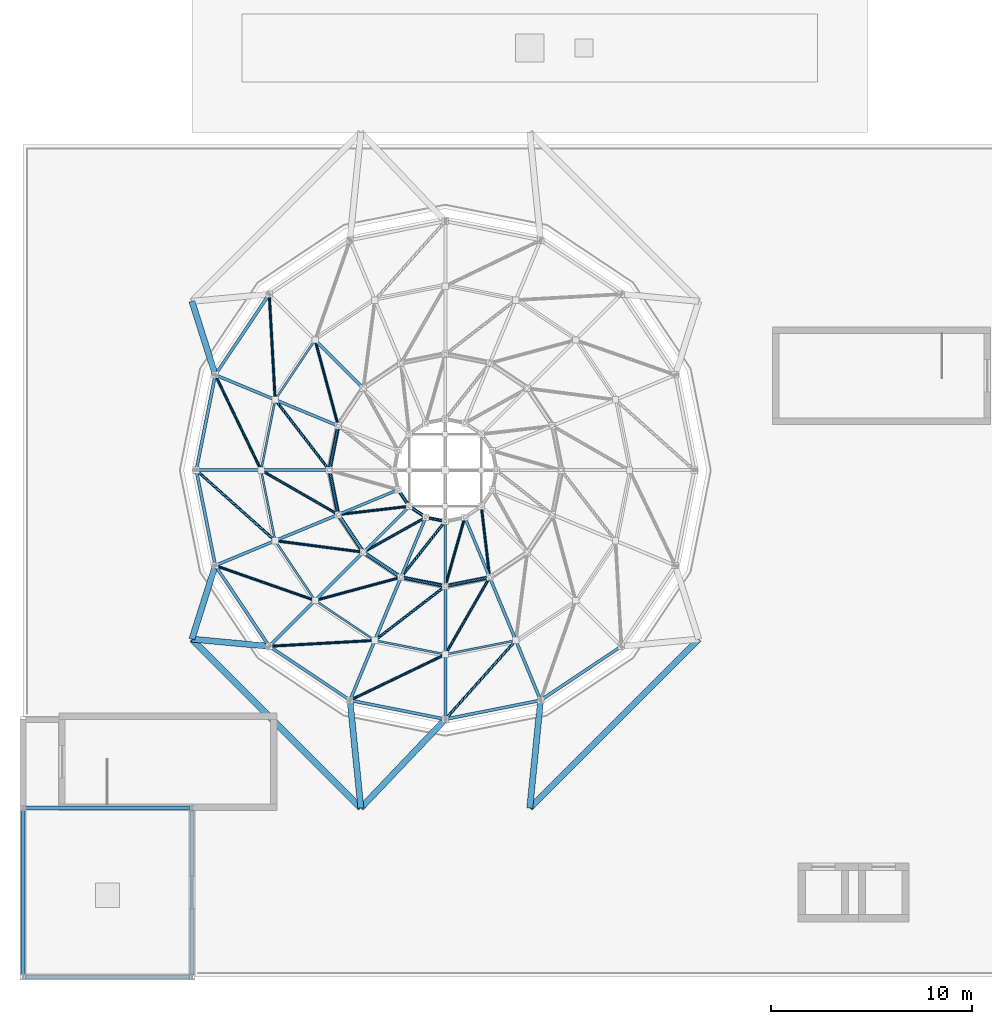
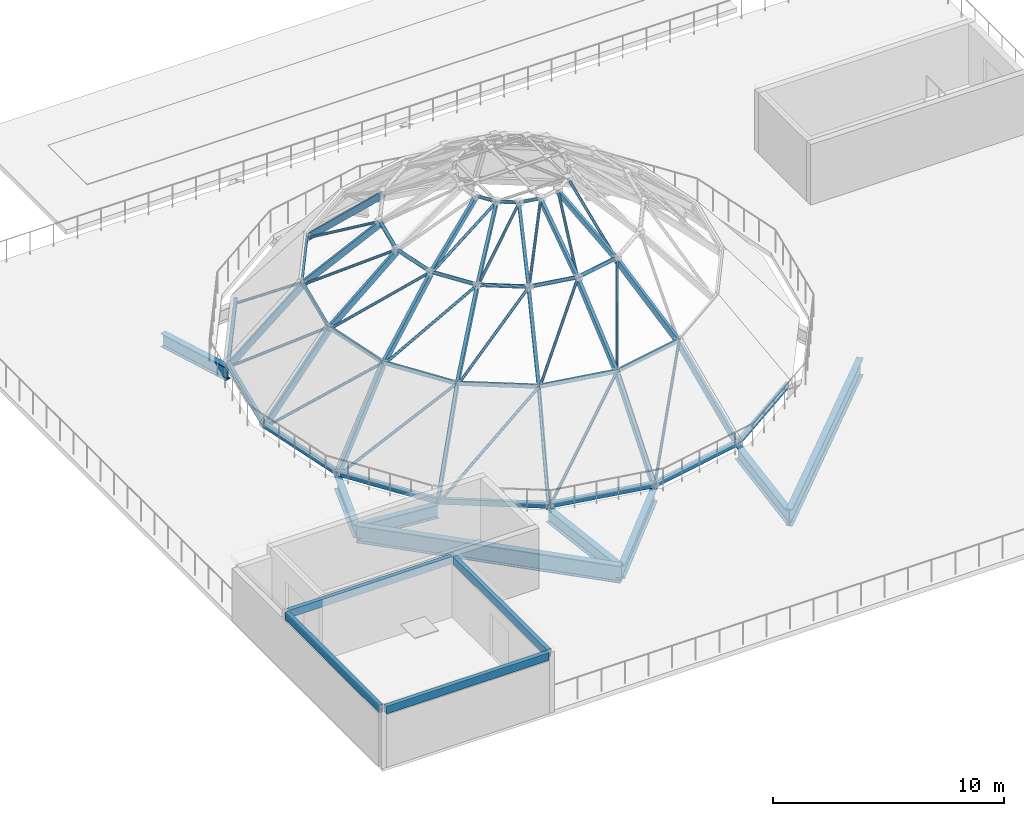
# One storey, part 5 of 40: 63 members, 12 beams.
"""IFC4 building model written with IfcOpenShell, lengths in metres."""

from ifc_helpers import new_model, si_unit, direction, frame, origin, origin_2d, place, context, subcontext, project, spatial, hollow_rectangle, hollow_circle, i_section, extrude, material, material_profile, profile_set, type_object, element, save


model = new_model("IFC4")

# Units and contexts
model_context = context("Model", 3, precision=1e-05, world=origin(), true_north=direction((0.0, 1.0)))
body_context = subcontext(model_context, "Body", "Model", "MODEL_VIEW")
ifc_project = project(units=[si_unit("LENGTHUNIT", "METRE"), si_unit("AREAUNIT", "SQUARE_METRE"), si_unit("VOLUMEUNIT", "CUBIC_METRE"), si_unit("PLANEANGLEUNIT", "RADIAN"), si_unit("MASSUNIT", "GRAM", prefix="KILO"), si_unit("THERMODYNAMICTEMPERATUREUNIT", "KELVIN")], contexts=[model_context])

# Site, building, storey
site_placement = place(None, origin())
site = spatial("IfcSite", under=ifc_project, at=site_placement, CompositionType="ELEMENT")
building_placement = place(site_placement, origin())
building = spatial("IfcBuilding", under=site, at=building_placement, Name="Lustrewick Department Store", CompositionType="ELEMENT")
storey_placement = place(building_placement, frame((0.0, 0.0, 31.800048828125)))
storey = spatial("IfcBuildingStorey", under=building, at=storey_placement, Name="L07", CompositionType="ELEMENT", Elevation=31.800048828125)

# Members
ifc_material_1 = material(Name="Structural steel Q355C", Category="steel")
ifc_material_profile_1 = material_profile(ifc_material_1, hollow_rectangle(XDim=0.14990234375, YDim=0.300048828125, WallThickness=0.010009765625, at=origin_2d()), Name="RHS 300x150x10")
ifc_profile_set_1 = profile_set([ifc_material_profile_1], Name="Structural steel Q355C")
member_type_1 = type_object("IfcMemberType", Name="DR01", PredefinedType="USERDEFINED", material=ifc_profile_set_1)
member_1_placement = place(storey_placement, frame((20.644287109375, 75.955810546875, -0.170654296875), z_axis=(-0.55556285078, -0.83147454491, 0.0), x_axis=(0.83147454491, -0.55556285078, 0.0)))
element("IfcMember", 1, at=member_1_placement, inside=storey, type_object=member_type_1, Name="L07 Dome Drum Tension Ring Beam 07", ObjectType="ARCH_SEGMENT", PredefinedType="USERDEFINED", context=body_context, shape_type="SweptSolid", body=[
    extrude(hollow_rectangle(XDim=0.14990234375, YDim=0.300048828125, WallThickness=0.010009765625, at=origin_2d()), origin(), (0.0, 0.0, 1.0), 4.831298828125),
])
member_2_placement = place(storey_placement, frame((17.960205078125, 71.938720703125, -0.170654296875), z_axis=(-0.195095714882, -0.98078420768, 0.0), x_axis=(0.98078420768, -0.195095714882, 0.0)))
element("IfcMember", 2, at=member_2_placement, inside=storey, type_object=member_type_1, Name="L07 Dome Drum Tension Ring Beam 08", ObjectType="ARCH_SEGMENT", PredefinedType="USERDEFINED", context=body_context, shape_type="SweptSolid", body=[
    extrude(hollow_rectangle(XDim=0.14990234375, YDim=0.300048828125, WallThickness=0.010009765625, at=origin_2d()), origin(), (0.0, 0.0, 1.0), 4.83154296875),
])
for number, where, z_axis, x_axis, name in (
    (3, (17.017578125, 67.199951171875, -0.170654296875), (0.195105384075, -0.980782284253, 0.0), (0.980782284253, 0.195105384075, 0.0), "L07 Dome Drum Tension Ring Beam 09"),
    (4, (17.960205078125, 62.46142578125, -0.170654296875), (0.55556285078, -0.83147454491, 0.0), (0.83147454491, 0.55556285078, 0.0), "L07 Dome Drum Tension Ring Beam 10"),
    (5, (20.644287109375, 58.4443359375, -0.170654296875), (0.831451201673, -0.555597785486, 0.0), (0.555597785486, 0.831451201673, 0.0), "L07 Dome Drum Tension Ring Beam 11"),
    (6, (24.661376953125, 55.760009765625, -0.170654296875), (0.980782284253, -0.195105384075, 0.0), (0.195105384075, 0.980782284253, 0.0), "L07 Dome Drum Tension Ring Beam 12"),
):
    element("IfcMember", number, at=place(storey_placement, frame(where, z_axis=z_axis, x_axis=x_axis)), inside=storey, type_object=member_type_1, Name=name, ObjectType="ARCH_SEGMENT", PredefinedType="USERDEFINED", context=body_context, shape_type="SweptSolid", body=[
        extrude(hollow_rectangle(XDim=0.14990234375, YDim=0.300048828125, WallThickness=0.010009765625, at=origin_2d()), origin(), (0.0, 0.0, 1.0), 4.831298828125),
    ])
member_3_placement = place(storey_placement, frame((29.39990234375, 54.8173828125, -0.170654296875), z_axis=(0.98078420768, 0.195095714882, 0.0), x_axis=(-0.195095714882, 0.98078420768, 0.0)))
element("IfcMember", 7, at=member_3_placement, inside=storey, type_object=member_type_1, Name="L07 Dome Drum Tension Ring Beam 13", ObjectType="ARCH_SEGMENT", PredefinedType="USERDEFINED", context=body_context, shape_type="SweptSolid", body=[
    extrude(hollow_rectangle(XDim=0.14990234375, YDim=0.300048828125, WallThickness=0.010009765625, at=origin_2d()), origin(), (0.0, 0.0, 1.0), 4.83154296875),
])
member_4_placement = place(storey_placement, frame((34.138671875, 55.760009765625, -0.170654296875), z_axis=(0.831451201673, 0.555597785486, 0.0), x_axis=(-0.555597785486, 0.831451201673, 0.0)))
element("IfcMember", 8, at=member_4_placement, inside=storey, type_object=member_type_1, Name="L07 Dome Drum Tension Ring Beam 14", ObjectType="ARCH_SEGMENT", PredefinedType="USERDEFINED", context=body_context, shape_type="SweptSolid", body=[
    extrude(hollow_rectangle(XDim=0.14990234375, YDim=0.300048828125, WallThickness=0.010009765625, at=origin_2d()), origin(), (0.0, 0.0, 1.0), 4.831298828125),
])
for number, where, z_axis, x_axis, name in (
    (9, (17.960205078125, 71.938720703125, -0.32666015625), (0.579377901493, -0.240017807162, 0.778917646165), (0.382726472086, 0.9238617037, 0.0), "V1 Dome Arch Segment 1.08"),
    (10, (17.017578125, 67.199951171875, -0.32666015625), (0.627125427781, 0.0, 0.778918287005), (0.0, 1.0, 0.0), "V1 Dome Arch Segment 1.09"),
    (11, (17.960205078125, 62.46142578125, -0.32666015625), (0.579384507666, 0.239973033885, 0.778926527527), (-0.38266180877, 0.923888489001, 0.0), "V1 Dome Arch Segment 1.10"),
    (12, (20.644287109375, 58.4443359375, -0.32666015625), (0.443459475704, 0.443411965583, 0.778928444844), (-0.707068900128, 0.707144660216, 0.0), "V1 Dome Arch Segment 1.11"),
    (13, (24.661376953125, 55.760009765625, -0.32666015625), (0.240017807162, 0.579377901493, 0.778917646165), (-0.9238617037, 0.382726472086, 0.0), "V1 Dome Arch Segment 1.12"),
):
    element("IfcMember", number, at=place(storey_placement, frame(where, z_axis=z_axis, x_axis=x_axis)), inside=storey, type_object=member_type_1, Name=name, ObjectType="ARCH_SEGMENT", PredefinedType="USERDEFINED", context=body_context, shape_type="SweptSolid", body=[
        extrude(hollow_rectangle(XDim=0.14990234375, YDim=0.300048828125, WallThickness=0.010009765625, at=origin_2d()), origin(), (0.0, 0.0, 1.0), 5.138671875),
    ])
member_5_placement = place(storey_placement, frame((29.39990234375, 54.8173828125, -0.32666015625), z_axis=(0.0, 0.627154251158, 0.778895079747), x_axis=(-1.0, 0.0, 0.0)))
element("IfcMember", 14, at=member_5_placement, inside=storey, type_object=member_type_1, Name="V1 Dome Arch Segment 1.13", ObjectType="ARCH_SEGMENT", PredefinedType="USERDEFINED", context=body_context, shape_type="SweptSolid", body=[
    extrude(hollow_rectangle(XDim=0.14990234375, YDim=0.300048828125, WallThickness=0.010009765625, at=origin_2d()), origin(), (0.0, 0.0, 1.0), 5.138916015625),
])
member_6_placement = place(storey_placement, frame((34.138671875, 55.760009765625, -0.32666015625), z_axis=(-0.240017807162, 0.579377901493, 0.778917646165), x_axis=(-0.9238617037, -0.382726472086, 0.0)))
element("IfcMember", 15, at=member_6_placement, inside=storey, type_object=member_type_1, Name="V1 Dome Arch Segment 1.14", ObjectType="ARCH_SEGMENT", PredefinedType="USERDEFINED", context=body_context, shape_type="SweptSolid", body=[
    extrude(hollow_rectangle(XDim=0.14990234375, YDim=0.300048828125, WallThickness=0.010009765625, at=origin_2d()), origin(), (0.0, 0.0, 1.0), 5.138671875),
])
for number, where, z_axis, x_axis, name in (
    (16, (22.9375, 73.66259765625, 3.746337890625), (0.537868383563, -0.537868383563, 0.649149600575), (0.707106781187, 0.707106781187, 0.0), "V1 Dome Arch Segment 2.07"),
    (17, (20.956298828125, 70.697509765625, 3.746337890625), (0.702740888981, -0.291108006613, 0.649162053296), (0.382709465293, 0.92386874889, 0.0), "V1 Dome Arch Segment 2.08"),
):
    element("IfcMember", number, at=place(storey_placement, frame(where, z_axis=z_axis, x_axis=x_axis)), inside=storey, type_object=member_type_1, Name=name, ObjectType="ARCH_SEGMENT", PredefinedType="USERDEFINED", context=body_context, shape_type="SweptSolid", body=[
        extrude(hollow_rectangle(XDim=0.14990234375, YDim=0.300048828125, WallThickness=0.010009765625, at=origin_2d()), origin(), (0.0, 0.0, 1.0), 4.438232421875),
    ])
member_7_placement = place(storey_placement, frame((20.260498046875, 67.199951171875, 3.746337890625), z_axis=(0.760679764588, 0.0, 0.649127334001), x_axis=(0.0, 1.0, 0.0)))
element("IfcMember", 18, at=member_7_placement, inside=storey, type_object=member_type_1, Name="V1 Dome Arch Segment 2.09", ObjectType="ARCH_SEGMENT", PredefinedType="USERDEFINED", context=body_context, shape_type="SweptSolid", body=[
    extrude(hollow_rectangle(XDim=0.14990234375, YDim=0.300048828125, WallThickness=0.010009765625, at=origin_2d()), origin(), (0.0, 0.0, 1.0), 4.4384765625),
])
member_8_placement = place(storey_placement, frame((20.956298828125, 63.702392578125, 3.746337890625), z_axis=(0.702740888981, 0.291108006613, 0.649162053296), x_axis=(-0.382709465293, 0.92386874889, 0.0)))
element("IfcMember", 19, at=member_8_placement, inside=storey, type_object=member_type_1, Name="V1 Dome Arch Segment 2.10", ObjectType="ARCH_SEGMENT", PredefinedType="USERDEFINED", context=body_context, shape_type="SweptSolid", body=[
    extrude(hollow_rectangle(XDim=0.14990234375, YDim=0.300048828125, WallThickness=0.010009765625, at=origin_2d()), origin(), (0.0, 0.0, 1.0), 4.438232421875),
])
member_9_placement = place(storey_placement, frame((22.9375, 60.7373046875, 3.746337890625), z_axis=(0.537852469504, 0.537907475893, 0.649130394009), x_axis=(-0.707142936461, 0.707070624063, 0.0)))
element("IfcMember", 20, at=member_9_placement, inside=storey, type_object=member_type_1, Name="V1 Dome Arch Segment 2.11", ObjectType="ARCH_SEGMENT", PredefinedType="USERDEFINED", context=body_context, shape_type="SweptSolid", body=[
    extrude(hollow_rectangle(XDim=0.14990234375, YDim=0.300048828125, WallThickness=0.010009765625, at=origin_2d()), origin(), (0.0, 0.0, 1.0), 4.4384765625),
])
for number, where, z_axis, x_axis, name in (
    (21, (25.902587890625, 58.756103515625, 3.746337890625), (0.291046406414, 0.702779982677, 0.649147352503), (-0.923904905479, 0.382622170858, 0.0), "V1 Dome Arch Segment 2.12"),
    (22, (29.39990234375, 58.060546875, 3.746337890625), (0.0, 0.760656585404, 0.649154495542), (-1.0, 0.0, 0.0), "V1 Dome Arch Segment 2.13"),
    (23, (32.8974609375, 58.756103515625, 3.746337890625), (-0.291046406414, 0.702779982677, 0.649147352503), (-0.923904905479, -0.382622170858, 0.0), "V1 Dome Arch Segment 2.14"),
):
    element("IfcMember", number, at=place(storey_placement, frame(where, z_axis=z_axis, x_axis=x_axis)), inside=storey, type_object=member_type_1, Name=name, ObjectType="ARCH_SEGMENT", PredefinedType="USERDEFINED", context=body_context, shape_type="SweptSolid", body=[
        extrude(hollow_rectangle(XDim=0.14990234375, YDim=0.300048828125, WallThickness=0.010009765625, at=origin_2d()), origin(), (0.0, 0.0, 1.0), 4.438232421875),
    ])
ifc_material_profile_2 = material_profile(ifc_material_1, hollow_rectangle(XDim=0.139892578125, YDim=0.260009765625, WallThickness=0.010009765625, at=origin_2d()), Name="RHS 260x140x10")
ifc_profile_set_2 = profile_set([ifc_material_profile_2], Name="Structural steel Q355C")
member_type_2 = type_object("IfcMemberType", Name="DR02", PredefinedType="USERDEFINED", material=ifc_profile_set_2)
for number, where, z_axis, x_axis, name in (
    (24, (24.09326171875, 65.001708984375, 6.68505859375), (0.760678120643, 0.315106762038, 0.567517863413), (-0.382707864323, 0.923869412085, 0.0), "V1 Dome Arch Segment 3.10"),
    (25, (25.33837890625, 63.138427734375, 6.68505859375), (0.582235876881, 0.582173243934, 0.567517134296), (-0.707068745266, 0.707144815061, 0.0), "V1 Dome Arch Segment 3.11"),
    (26, (27.201904296875, 61.893310546875, 6.68505859375), (0.315106762038, 0.760678120643, 0.567517863413), (-0.923869412085, 0.382707864323, 0.0), "V1 Dome Arch Segment 3.12"),
):
    element("IfcMember", number, at=place(storey_placement, frame(where, z_axis=z_axis, x_axis=x_axis)), inside=storey, type_object=member_type_2, Name=name, ObjectType="ARCH_SEGMENT", PredefinedType="USERDEFINED", context=body_context, shape_type="SweptSolid", body=[
        extrude(hollow_rectangle(XDim=0.139892578125, YDim=0.260009765625, WallThickness=0.010009765625, at=origin_2d()), origin(), (0.0, 0.0, 1.0), 3.89794921875),
    ])
member_10_placement = place(storey_placement, frame((29.39990234375, 61.4560546875, 6.68505859375), z_axis=(0.0, 0.82334499991, 0.567541197732), x_axis=(-1.0, 0.0, 0.0)))
element("IfcMember", 27, at=member_10_placement, inside=storey, type_object=member_type_2, Name="V1 Dome Arch Segment 3.13", ObjectType="ARCH_SEGMENT", PredefinedType="USERDEFINED", context=body_context, shape_type="SweptSolid", body=[
    extrude(hollow_rectangle(XDim=0.139892578125, YDim=0.260009765625, WallThickness=0.010009765625, at=origin_2d()), origin(), (0.0, 0.0, 1.0), 3.897705078125),
])
member_11_placement = place(storey_placement, frame((31.59814453125, 61.893310546875, 6.68505859375), z_axis=(-0.315106762038, 0.760678120643, 0.567517863413), x_axis=(-0.923869412085, -0.382707864323, 0.0)))
element("IfcMember", 28, at=member_11_placement, inside=storey, type_object=member_type_2, Name="V1 Dome Arch Segment 3.14", ObjectType="ARCH_SEGMENT", PredefinedType="USERDEFINED", context=body_context, shape_type="SweptSolid", body=[
    extrude(hollow_rectangle(XDim=0.139892578125, YDim=0.260009765625, WallThickness=0.010009765625, at=origin_2d()), origin(), (0.0, 0.0, 1.0), 3.89794921875),
])
ifc_material_2 = material(Name="Structural steel Q355B", Category="steel")
ifc_material_profile_3 = material_profile(ifc_material_2, hollow_rectangle(XDim=0.10009765625, YDim=0.199951171875, WallThickness=0.008056640625, at=origin_2d()), Name="RHS 200x100x8")
ifc_profile_set_3 = profile_set([ifc_material_profile_3], Name="Structural steel Q355B")
member_type_3 = type_object("IfcMemberType", Name="DR04", PredefinedType="PURLIN", material=ifc_profile_set_3)
for number, where, z_axis, x_axis, name in (
    (29, (22.923095703125, 73.677001953125, 3.865966796875), (-0.555566909235, -0.831471833175, 0.0), (0.831471833175, -0.555566909235, 0.0), "V1 Dome Tension Ring Member 1.07"),
    (30, (20.9375, 70.705322265625, 3.865966796875), (-0.195091388425, -0.980785068281, 0.0), (0.980785068281, -0.195091388425, 0.0), "V1 Dome Tension Ring Member 1.08"),
    (31, (20.240234375, 67.199951171875, 3.865966796875), (0.195091388425, -0.980785068281, 0.0), (0.980785068281, 0.195091388425, 0.0), "V1 Dome Tension Ring Member 1.09"),
    (32, (20.9375, 63.694580078125, 3.865966796875), (0.555566909235, -0.831471833175, 0.0), (0.831471833175, 0.555566909235, 0.0), "V1 Dome Tension Ring Member 1.10"),
    (33, (22.923095703125, 60.722900390625, 3.865966796875), (0.831471833175, -0.555566909235, 0.0), (0.555566909235, 0.831471833175, 0.0), "V1 Dome Tension Ring Member 1.11"),
):
    element("IfcMember", number, at=place(storey_placement, frame(where, z_axis=z_axis, x_axis=x_axis)), inside=storey, type_object=member_type_3, Name=name, PredefinedType="PURLIN", context=body_context, shape_type="SweptSolid", body=[
        extrude(hollow_rectangle(XDim=0.10009765625, YDim=0.199951171875, WallThickness=0.008056640625, at=origin_2d()), origin(), (0.0, 0.0, 1.0), 3.573974609375),
    ])
member_12_placement = place(storey_placement, frame((25.894775390625, 58.7373046875, 3.865966796875), z_axis=(0.980795538301, -0.195038744992, 0.0), x_axis=(0.195038744992, 0.980795538301, 0.0)))
element("IfcMember", 34, at=member_12_placement, inside=storey, type_object=member_type_3, Name="V1 Dome Tension Ring Member 1.12", PredefinedType="PURLIN", context=body_context, shape_type="SweptSolid", body=[
    extrude(hollow_rectangle(XDim=0.10009765625, YDim=0.199951171875, WallThickness=0.008056640625, at=origin_2d()), origin(), (0.0, 0.0, 1.0), 3.57373046875),
])
member_13_placement = place(storey_placement, frame((29.39990234375, 58.040283203125, 3.865966796875), z_axis=(0.980798136743, 0.195025677699, 0.0), x_axis=(-0.195025677699, 0.980798136743, 0.0)))
element("IfcMember", 35, at=member_13_placement, inside=storey, type_object=member_type_3, Name="V1 Dome Tension Ring Member 1.13", PredefinedType="PURLIN", context=body_context, shape_type="SweptSolid", body=[
    extrude(hollow_rectangle(XDim=0.10009765625, YDim=0.199951171875, WallThickness=0.008056640625, at=origin_2d()), origin(), (0.0, 0.0, 1.0), 3.573974609375),
])
ifc_material_profile_4 = material_profile(ifc_material_1, hollow_circle(Radius=0.096923828125, WallThickness=0.008056640625, at=origin_2d()), Name="CHS 194x8")
ifc_profile_set_4 = profile_set([ifc_material_profile_4], Name="Structural steel Q355C")
member_type_4 = type_object("IfcMemberType", Name="DR07", PredefinedType="CHORD", material=ifc_profile_set_4)
for number, where, z_axis, x_axis, name in (
    (36, (24.0751953125, 69.405517578125, 6.77783203125), (-0.194988566053, -0.980805515435, 0.0), (0.980805515435, -0.194988566053, 0.0), "V1 Dome Tension Ring Member 2.08"),
    (37, (23.63671875, 67.199951171875, 6.77783203125), (0.194988566053, -0.980805515435, 0.0), (0.980805515435, 0.194988566053, 0.0), "V1 Dome Tension Ring Member 2.09"),
    (38, (24.0751953125, 64.994384765625, 6.77783203125), (0.555651892433, -0.831415043426, 0.0), (0.831415043426, 0.555651892433, 0.0), "V1 Dome Tension Ring Member 2.10"),
    (39, (25.32470703125, 63.124755859375, 6.77783203125), (0.831415043426, -0.555651892433, 0.0), (0.555651892433, 0.831415043426, 0.0), "V1 Dome Tension Ring Member 2.11"),
    (40, (27.1943359375, 61.875244140625, 6.77783203125), (0.980784747087, -0.195093003157, 0.0), (0.195093003157, 0.980784747087, 0.0), "V1 Dome Tension Ring Member 2.12"),
):
    element("IfcMember", number, at=place(storey_placement, frame(where, z_axis=z_axis, x_axis=x_axis)), inside=storey, type_object=member_type_4, Name=name, PredefinedType="CHORD", context=body_context, shape_type="SweptSolid", body=[
        extrude(hollow_circle(Radius=0.096923828125, WallThickness=0.008056640625, at=origin_2d()), origin(), (0.0, 0.0, 1.0), 2.248779296875),
    ])
member_14_placement = place(storey_placement, frame((29.39990234375, 61.4365234375, 6.77783203125), z_axis=(0.980788878586, 0.195072231856, 0.0), x_axis=(-0.195072231856, 0.980788878586, 0.0)))
element("IfcMember", 41, at=member_14_placement, inside=storey, type_object=member_type_4, Name="V1 Dome Tension Ring Member 2.13", PredefinedType="CHORD", context=body_context, shape_type="SweptSolid", body=[
    extrude(hollow_circle(Radius=0.096923828125, WallThickness=0.008056640625, at=origin_2d()), origin(), (0.0, 0.0, 1.0), 2.2490234375),
])
ifc_material_profile_5 = material_profile(ifc_material_1, hollow_circle(Radius=0.083984375, WallThickness=0.008056640625, at=origin_2d()), Name="CHS 168x8")
ifc_profile_set_5 = profile_set([ifc_material_profile_5], Name="Structural steel Q355C")
member_type_5 = type_object("IfcMemberType", Name="DR08", PredefinedType="CHORD", material=ifc_profile_set_5)
member_15_placement = place(storey_placement, frame((27.058349609375, 66.22998046875, 8.9951171875), z_axis=(0.555668247551, -0.831404112729, 0.0), x_axis=(0.831404112729, 0.555668247552, 0.0)))
element("IfcMember", 42, at=member_15_placement, inside=storey, type_object=member_type_5, Name="V1 Dome Oculus Tension Ring Chord 3.10", PredefinedType="CHORD", context=body_context, shape_type="SweptSolid", body=[
    extrude(hollow_circle(Radius=0.083984375, WallThickness=0.008056640625, at=origin_2d()), origin(), (0.0, 0.0, 1.0), 0.989013671875),
])
for number, where, z_axis, x_axis, name in (
    (43, (27.60791015625, 65.40771484375, 8.9951171875), (0.831518153648, -0.555497578892, 0.0), (0.555497578892, 0.831518153648, 0.0), "V1 Dome Oculus Tension Ring Chord 3.11"),
    (44, (28.43017578125, 64.8583984375, 8.9951171875), (0.980741787105, -0.195308850352, 0.0), (0.195308850352, 0.980741787105, 0.0), "V1 Dome Oculus Tension Ring Chord 3.12"),
):
    element("IfcMember", number, at=place(storey_placement, frame(where, z_axis=z_axis, x_axis=x_axis)), inside=storey, type_object=member_type_5, Name=name, PredefinedType="CHORD", context=body_context, shape_type="SweptSolid", body=[
        extrude(hollow_circle(Radius=0.083984375, WallThickness=0.008056640625, at=origin_2d()), origin(), (0.0, 0.0, 1.0), 0.98876953125),
    ])
ifc_material_profile_6 = material_profile(ifc_material_1, hollow_circle(Radius=0.070068359375, WallThickness=0.006103515625, at=origin_2d()), Name="CHS 140x6")
ifc_profile_set_6 = profile_set([ifc_material_profile_6], Name="Structural steel Q355C")
member_type_6 = type_object("IfcMemberType", Name="DR10", PredefinedType="BRACE", material=ifc_profile_set_6)
for number, where, z_axis, x_axis, name in (
    (45, (20.644287109375, 75.955810546875, -0.3515625), (0.043577761045, -0.780335827675, 0.623840504288), (0.998444312451, 0.055758003313, 0.0), "V1 Dome Wind Brace 1.07"),
    (46, (17.960205078125, 71.938720703125, -0.3515625), (0.338858287549, -0.704276620764, 0.62383451524), (0.901120594982, 0.433568533567, 0.0), "V1 Dome Wind Brace 1.08"),
    (47, (17.017578125, 67.199951171875, -0.3515625), (0.582586158386, -0.520974841935, 0.623841792547), (0.666591272375, 0.745423420341, 0.0), "V1 Dome Wind Brace 1.09"),
    (48, (17.960205078125, 62.46142578125, -0.3515625), (0.737599512272, -0.258384795695, 0.623846340736), (0.330606846885, 0.943768569509, 0.0), "V1 Dome Wind Brace 1.10"),
    (49, (20.644287109375, 58.4443359375, -0.3515625), (0.780337061031, 0.043541545301, 0.623841490296), (-0.055711721157, 0.998446895997, 0.0), "V1 Dome Wind Brace 1.11"),
    (50, (24.661376953125, 55.760009765625, -0.3515625), (0.704249673272, 0.338899064782, 0.623842785953), (-0.433624370733, 0.901093727148, 0.0), "V1 Dome Wind Brace 1.12"),
    (51, (29.39990234375, 54.8173828125, -0.3515625), (0.520974841935, 0.582586158386, 0.623841792547), (-0.745423420341, 0.666591272375, 0.0), "V1 Dome Wind Brace 1.13"),
):
    element("IfcMember", number, at=place(storey_placement, frame(where, z_axis=z_axis, x_axis=x_axis)), inside=storey, type_object=member_type_6, Name=name, PredefinedType="BRACE", context=body_context, shape_type="SweptSolid", body=[
        extrude(hollow_circle(Radius=0.070068359375, WallThickness=0.006103515625, at=origin_2d()), origin(), (0.0, 0.0, 1.0), 6.728515625),
    ])
member_16_placement = place(storey_placement, frame((22.923095703125, 73.677001953125, 3.703857421875), z_axis=(0.214310998606, -0.794571992289, 0.56808990921), x_axis=(0.965497374756, 0.260412786435, 0.0)))
element("IfcMember", 52, at=member_16_placement, inside=storey, type_object=member_type_6, Name="V1 Dome Wind Brace 2.07", PredefinedType="BRACE", context=body_context, shape_type="SweptSolid", body=[
    extrude(hollow_circle(Radius=0.070068359375, WallThickness=0.006103515625, at=origin_2d()), origin(), (0.0, 0.0, 1.0), 5.375732421875),
])
member_17_placement = place(storey_placement, frame((20.9375, 70.705322265625, 3.703857421875), z_axis=(0.502098339502, -0.652055712606, 0.56808503336), x_axis=(0.792320280704, 0.610105378427, 0.0)))
element("IfcMember", 53, at=member_17_placement, inside=storey, type_object=member_type_6, Name="V1 Dome Wind Brace 2.08", PredefinedType="BRACE", context=body_context, shape_type="SweptSolid", body=[
    extrude(hollow_circle(Radius=0.070068359375, WallThickness=0.006103515625, at=origin_2d()), origin(), (0.0, 0.0, 1.0), 5.3759765625),
])
for number, where, z_axis, x_axis, name in (
    (54, (20.240234375, 67.199951171875, 3.703857421875), (0.713388942651, -0.410284931749, 0.568104296131), (0.498549922248, 0.866860989448, 0.0), "V1 Dome Wind Brace 2.09"),
    (55, (20.9375, 63.694580078125, 3.703857421875), (0.81610731712, -0.105998579753, 0.568096072891), (0.128801267333, 0.991670425864, 0.0), "V1 Dome Wind Brace 2.10"),
    (56, (22.923095703125, 60.722900390625, 3.703857421875), (0.794547514554, 0.214362061657, 0.568104879083), (-0.260478104755, 0.965479754808, 0.0), "V1 Dome Wind Brace 2.11"),
    (57, (25.894775390625, 58.7373046875, 3.703857421875), (0.652029606358, 0.502113208045, 0.568101855954), (-0.61013205474, 0.792299738595, 0.0), "V1 Dome Wind Brace 2.12"),
    (58, (29.39990234375, 58.040283203125, 3.703857421875), (0.410322701353, 0.713375649458, 0.568093710152), (-0.866837139206, 0.498591389911, 0.0), "V1 Dome Wind Brace 2.13"),
):
    element("IfcMember", number, at=place(storey_placement, frame(where, z_axis=z_axis, x_axis=x_axis)), inside=storey, type_object=member_type_6, Name=name, PredefinedType="BRACE", context=body_context, shape_type="SweptSolid", body=[
        extrude(hollow_circle(Radius=0.070068359375, WallThickness=0.006103515625, at=origin_2d()), origin(), (0.0, 0.0, 1.0), 5.375732421875),
    ])
for number, where, z_axis, x_axis, name in (
    (59, (24.0751953125, 64.994384765625, 6.646484375), (0.830977346922, 0.097224923866, 0.547744432269), (-0.116207999635, 0.993224899417, 0.0), "V1 Dome Wind Brace 3.10"),
    (60, (25.32470703125, 63.124755859375, 6.646484375), (0.730508620652, 0.407809883274, 0.547766605643), (-0.4874428408, 0.873154898602, 0.0), "V1 Dome Wind Brace 3.11"),
):
    element("IfcMember", number, at=place(storey_placement, frame(where, z_axis=z_axis, x_axis=x_axis)), inside=storey, type_object=member_type_6, Name=name, PredefinedType="BRACE", context=body_context, shape_type="SweptSolid", body=[
        extrude(hollow_circle(Radius=0.070068359375, WallThickness=0.006103515625, at=origin_2d()), origin(), (0.0, 0.0, 1.0), 4.251220703125),
    ])
member_18_placement = place(storey_placement, frame((27.1943359375, 61.875244140625, 6.646484375), z_axis=(0.518830703861, 0.656320266075, 0.547775874853), x_axis=(-0.784485488916, 0.62014717421, 0.0)))
element("IfcMember", 61, at=member_18_placement, inside=storey, type_object=member_type_6, Name="V1 Dome Wind Brace 3.12", PredefinedType="BRACE", context=body_context, shape_type="SweptSolid", body=[
    extrude(hollow_circle(Radius=0.070068359375, WallThickness=0.006103515625, at=origin_2d()), origin(), (0.0, 0.0, 1.0), 4.2509765625),
])
member_19_placement = place(storey_placement, frame((29.39990234375, 61.4365234375, 6.646484375), z_axis=(0.228165176987, 0.80492401728, 0.5477572258), x_axis=(-0.962094313303, 0.272716945402, 0.0)))
element("IfcMember", 62, at=member_19_placement, inside=storey, type_object=member_type_6, Name="V1 Dome Wind Brace 3.13", PredefinedType="BRACE", context=body_context, shape_type="SweptSolid", body=[
    extrude(hollow_circle(Radius=0.070068359375, WallThickness=0.006103515625, at=origin_2d()), origin(), (0.0, 0.0, 1.0), 4.251220703125),
])
member_20_placement = place(storey_placement, frame((31.605712890625, 61.875244140625, 6.646484375), z_axis=(-0.097286450651, 0.8309549318, 0.547767512579), x_axis=(-0.993216046557, -0.116283639703, 0.0)))
element("IfcMember", 63, at=member_20_placement, inside=storey, type_object=member_type_6, Name="V1 Dome Wind Brace 3.14", PredefinedType="BRACE", context=body_context, shape_type="SweptSolid", body=[
    extrude(hollow_circle(Radius=0.070068359375, WallThickness=0.006103515625, at=origin_2d()), origin(), (0.0, 0.0, 1.0), 4.2509765625),
])

# Beams
ifc_material_profile_7 = material_profile(ifc_material_1, i_section(OverallWidth=0.302001953125, OverallDepth=0.912109375, WebThickness=0.01806640625, FlangeThickness=0.033935546875, FilletRadius=0.02392578125, at=origin_2d()), Name="HN 912x302x18x34")
ifc_profile_set_7 = profile_set([ifc_material_profile_7], Name="Structural steel Q355C")
beam_type_1 = type_object("IfcBeamType", Name="G01", PredefinedType="BEAM", material=ifc_profile_set_7)
for number, where, z_axis, x_axis, name in (
    (64, (16.800048828125, 58.800048828125, -0.72607421875), (0.707096505339, -0.707117056885, 0.0), (0.707117056885, 0.707096505339, 0.0), "L07 Dome Drum Cradle Girder 1"),
    (65, (33.60009765625, 50.39990234375, -0.72607421875), (0.707096505339, 0.707117056885, 0.0), (-0.707117056885, 0.707096505339, 0.0), "L07 Dome Drum Cradle Girder 2"),
):
    element("IfcBeam", number, at=place(storey_placement, frame(where, z_axis=z_axis, x_axis=x_axis)), inside=storey, type_object=beam_type_1, Name=name, PredefinedType="BEAM", context=body_context, shape_type="SweptSolid", body=[
        extrude(i_section(OverallWidth=0.302001953125, OverallDepth=0.912109375, WebThickness=0.01806640625, FlangeThickness=0.033935546875, FilletRadius=0.02392578125, at=origin_2d()), origin(), (0.0, 0.0, 1.0), 11.87939453125),
    ])
ifc_material_profile_8 = material_profile(ifc_material_1, i_section(OverallWidth=0.302001953125, OverallDepth=0.7080078125, WebThickness=0.014892578125, FlangeThickness=0.028076171875, FilletRadius=0.02001953125, at=origin_2d()), Name="HN 708x302x15x28")
ifc_profile_set_8 = profile_set([ifc_material_profile_8], Name="Structural steel Q355C")
beam_type_2 = type_object("IfcBeamType", Name="G07", PredefinedType="BEAM", material=ifc_profile_set_8)
for number, where, z_axis, x_axis, name in (
    (66, (16.800048828125, 75.60009765625, -0.65966796875), (0.30206212731, -0.953288241428, 0.0), (0.953288241428, 0.30206212731, 0.0), "L07 Dome Drum Radial Tension Tie Beam 07"),
    (67, (16.800048828125, 58.800048828125, -0.65966796875), (0.30206212731, 0.953288241428, 0.0), (-0.953288241428, 0.30206212731, 0.0), "L07 Dome Drum Radial Tension Tie Beam 09"),
):
    element("IfcBeam", number, at=place(storey_placement, frame(where, z_axis=z_axis, x_axis=x_axis)), inside=storey, type_object=beam_type_2, Name=name, PredefinedType="BEAM", context=body_context, shape_type="SweptSolid", body=[
        extrude(i_section(OverallWidth=0.302001953125, OverallDepth=0.7080078125, WebThickness=0.014892578125, FlangeThickness=0.028076171875, FilletRadius=0.02001953125, at=origin_2d()), origin(), (0.0, 0.0, 1.0), 3.8408203125),
    ])
beam_1_placement = place(storey_placement, frame((16.800048828125, 58.800048828125, -0.65966796875), z_axis=(0.995746262804, -0.092137832142, 0.0), x_axis=(0.092137832142, 0.995746262804, 0.0)))
element("IfcBeam", 68, at=beam_1_placement, inside=storey, type_object=beam_type_2, Name="L07 Dome Drum Radial Tension Tie Beam 10", PredefinedType="BEAM", context=body_context, shape_type="SweptSolid", body=[
    extrude(i_section(OverallWidth=0.302001953125, OverallDepth=0.7080078125, WebThickness=0.014892578125, FlangeThickness=0.028076171875, FilletRadius=0.02001953125, at=origin_2d()), origin(), (0.0, 0.0, 1.0), 3.860595703125),
])
beam_2_placement = place(storey_placement, frame((25.199951171875, 50.39990234375, -0.65966796875), z_axis=(-0.099974851346, 0.99498996432, 0.0), x_axis=(-0.99498996432, -0.099974851346, 0.0)))
element("IfcBeam", 69, at=beam_2_placement, inside=storey, type_object=beam_type_2, Name="L07 Dome Drum Radial Tension Tie Beam 11", PredefinedType="BEAM", context=body_context, shape_type="SweptSolid", body=[
    extrude(i_section(OverallWidth=0.302001953125, OverallDepth=0.7080078125, WebThickness=0.014892578125, FlangeThickness=0.028076171875, FilletRadius=0.02001953125, at=origin_2d()), origin(), (0.0, 0.0, 1.0), 5.38720703125),
])
beam_3_placement = place(storey_placement, frame((25.199951171875, 50.39990234375, -0.65966796875), z_axis=(0.68903783366, 0.724725371286, 0.0), x_axis=(-0.724725371286, 0.68903783366, 0.0)))
element("IfcBeam", 70, at=beam_3_placement, inside=storey, type_object=beam_type_2, Name="L07 Dome Drum Radial Tension Tie Beam 12", PredefinedType="BEAM", context=body_context, shape_type="SweptSolid", body=[
    extrude(i_section(OverallWidth=0.302001953125, OverallDepth=0.7080078125, WebThickness=0.014892578125, FlangeThickness=0.028076171875, FilletRadius=0.02001953125, at=origin_2d()), origin(), (0.0, 0.0, 1.0), 6.095458984375),
])
beam_4_placement = place(storey_placement, frame((33.60009765625, 50.39990234375, -0.65966796875), z_axis=(0.099974851346, 0.99498996432, 0.0), x_axis=(-0.99498996432, 0.099974851346, 0.0)))
element("IfcBeam", 71, at=beam_4_placement, inside=storey, type_object=beam_type_2, Name="L07 Dome Drum Radial Tension Tie Beam 13", PredefinedType="BEAM", context=body_context, shape_type="SweptSolid", body=[
    extrude(i_section(OverallWidth=0.302001953125, OverallDepth=0.7080078125, WebThickness=0.014892578125, FlangeThickness=0.028076171875, FilletRadius=0.02001953125, at=origin_2d()), origin(), (0.0, 0.0, 1.0), 5.38720703125),
])
ifc_material_profile_9 = material_profile(ifc_material_1, hollow_rectangle(XDim=0.199951171875, YDim=0.39990234375, WallThickness=0.011962890625, at=origin_2d()), Name="RHS 400x200x12")
ifc_profile_set_9 = profile_set([ifc_material_profile_9], Name="Structural steel Q355C")
beam_type_3 = type_object("IfcBeamType", Name="G19", PredefinedType="BEAM", material=ifc_profile_set_9)
beam_5_placement = place(storey_placement, frame((8.52490234375, 42.0, 3.0), z_axis=(1.0, 0.0, 0.0), x_axis=(0.0, 1.0, 0.0)))
element("IfcBeam", 72, at=beam_5_placement, inside=storey, type_object=beam_type_3, Name="L07 Refuge Lounge Roof Beam 1", PredefinedType="BEAM", context=body_context, shape_type="SweptSolid", body=[
    extrude(hollow_rectangle(XDim=0.199951171875, YDim=0.39990234375, WallThickness=0.011962890625, at=origin_2d()), origin(), (0.0, 0.0, 1.0), 8.150146484375),
])
beam_6_placement = place(storey_placement, frame((16.800048828125, 42.125, 3.0), z_axis=(0.0, 1.0, 0.0), x_axis=(-1.0, 0.0, 0.0)))
element("IfcBeam", 73, at=beam_6_placement, inside=storey, type_object=beam_type_3, Name="L07 Refuge Lounge Roof Beam 2", PredefinedType="BEAM", context=body_context, shape_type="SweptSolid", body=[
    extrude(hollow_rectangle(XDim=0.199951171875, YDim=0.39990234375, WallThickness=0.011962890625, at=origin_2d()), origin(), (0.0, 0.0, 1.0), 8.14990234375),
])
beam_7_placement = place(storey_placement, frame((8.52490234375, 50.39990234375, 3.0), z_axis=(1.0, 0.0, 0.0), x_axis=(0.0, 1.0, 0.0)))
element("IfcBeam", 74, at=beam_7_placement, inside=storey, type_object=beam_type_3, Name="L07 Refuge Lounge Roof Beam 3", PredefinedType="BEAM", context=body_context, shape_type="SweptSolid", body=[
    extrude(hollow_rectangle(XDim=0.199951171875, YDim=0.39990234375, WallThickness=0.011962890625, at=origin_2d()), origin(), (0.0, 0.0, 1.0), 8.150146484375),
])
beam_8_placement = place(storey_placement, frame((8.39990234375, 42.125, 3.0), z_axis=(0.0, 1.0, 0.0), x_axis=(-1.0, 0.0, 0.0)))
element("IfcBeam", 75, at=beam_8_placement, inside=storey, type_object=beam_type_3, Name="L07 Refuge Lounge Roof Beam 4", PredefinedType="BEAM", context=body_context, shape_type="SweptSolid", body=[
    extrude(hollow_rectangle(XDim=0.199951171875, YDim=0.39990234375, WallThickness=0.011962890625, at=origin_2d()), origin(), (0.0, 0.0, 1.0), 8.14990234375),
])

save(model, "model.ifc")
